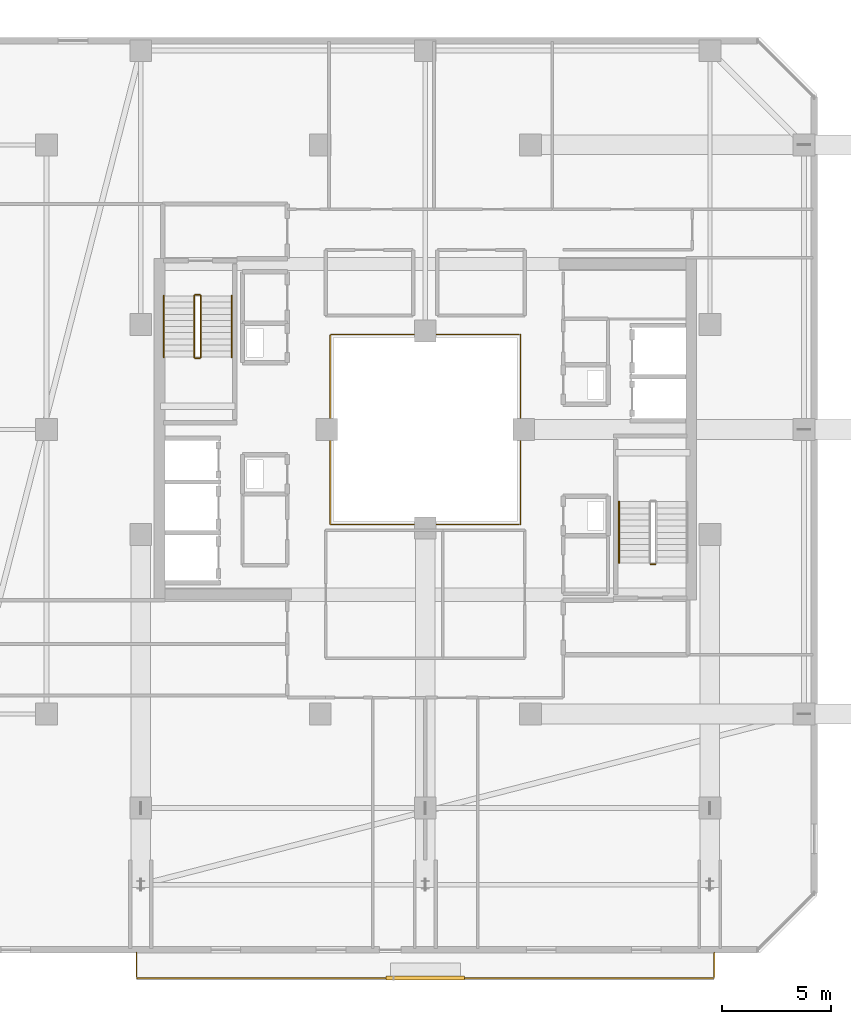
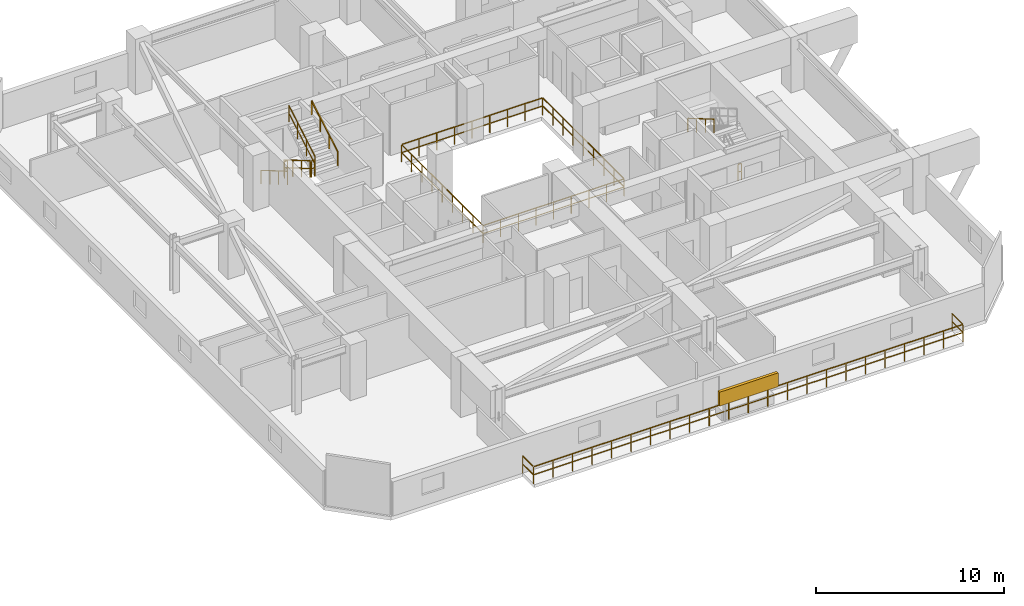
# One storey, part 34 of 35: 10 railings, 1 shading device.
"""IFC4 building model written with IfcOpenShell, lengths in metres."""

from ifc_helpers import new_model, si_unit, direction, frame, origin, origin_2d, place, context, subcontext, project, spatial, rectangle, extrude, material, type_object, element, save


model = new_model("IFC4")

# Units and contexts
model_context = context("Model", 3, precision=1e-05, world=origin(), true_north=direction((0.0, 1.0)))
body_context = subcontext(model_context, "Body", "Model", "MODEL_VIEW")
ifc_project = project(units=[si_unit("LENGTHUNIT", "METRE"), si_unit("AREAUNIT", "SQUARE_METRE"), si_unit("VOLUMEUNIT", "CUBIC_METRE"), si_unit("PLANEANGLEUNIT", "RADIAN"), si_unit("MASSUNIT", "GRAM", prefix="KILO")], contexts=[model_context])

# Site, building, storey
site_placement = place(None, origin())
site = spatial("IfcSite", under=ifc_project, at=site_placement, CompositionType="ELEMENT")
building_placement = place(site_placement, origin())
building = spatial("IfcBuilding", under=site, at=building_placement, Name="Thornwick Lancets Civic Towers", CompositionType="ELEMENT")
storey_placement = place(building_placement, frame((0.0, 0.0, 225.89990234375)))
storey = spatial("IfcBuildingStorey", under=building, at=storey_placement, Name="L60", CompositionType="ELEMENT", Elevation=225.89990234375)

# Railings
ifc_material_1 = material(Name="Laminated glass and bronze steel S355", Category="steel")
railing_type_1 = type_object("IfcRailingType", Name="RAIL_ATRIUM_GUARD", PredefinedType="BALUSTRADE", material=ifc_material_1)
railing_1_placement = place(storey_placement, frame((84.159912109375, 22.659912109375, 0.0)))
element("IfcRailing", 1, at=railing_1_placement, inside=storey, type_object=railing_type_1, Name="L60 Tower B Central Atrium Guard Balustrade", PredefinedType="BALUSTRADE", context=body_context, shape_type="SweptSolid", body=[
    extrude(rectangle(XDim=0.048095703125, YDim=0.048095703125, at=origin_2d()), frame((0.0, 0.0, 1.1259765625), z_axis=(1.0, 0.0, 0.0), x_axis=(0.0, 1.0, 0.0)), (0.0, 0.0, 1.0), 8.64892578125),
    extrude(rectangle(XDim=0.0419921875, YDim=0.0419921875, at=origin_2d()), frame((0.03759765625, 0.0, 0.597900390625), z_axis=(1.0, 0.0, 0.0), x_axis=(0.0, 1.0, 0.0)), (0.0, 0.0, 1.0), 1.010009765625),
    extrude(rectangle(XDim=0.0419921875, YDim=0.0419921875, at=origin_2d()), frame((1.12255859375, 0.0, 0.597900390625), z_axis=(1.0, 0.0, 0.0), x_axis=(0.0, 1.0, 0.0)), (0.0, 0.0, 1.0), 1.010009765625),
    extrude(rectangle(XDim=0.0419921875, YDim=0.0419921875, at=origin_2d()), frame((2.20751953125, 0.0, 0.597900390625), z_axis=(1.0, 0.0, 0.0), x_axis=(0.0, 1.0, 0.0)), (0.0, 0.0, 1.0), 1.010009765625),
    extrude(rectangle(XDim=0.0419921875, YDim=0.0419921875, at=origin_2d()), frame((3.29248046875, 0.0, 0.597900390625), z_axis=(1.0, 0.0, 0.0), x_axis=(0.0, 1.0, 0.0)), (0.0, 0.0, 1.0), 1.010009765625),
    extrude(rectangle(XDim=0.0419921875, YDim=0.0419921875, at=origin_2d()), frame((4.377685546875, 0.0, 0.597900390625), z_axis=(1.0, 0.0, 0.0), x_axis=(0.0, 1.0, 0.0)), (0.0, 0.0, 1.0), 1.010009765625),
    extrude(rectangle(XDim=0.0419921875, YDim=0.0419921875, at=origin_2d()), frame((5.462646484375, 0.0, 0.597900390625), z_axis=(1.0, 0.0, 0.0), x_axis=(0.0, 1.0, 0.0)), (0.0, 0.0, 1.0), 1.010009765625),
    extrude(rectangle(XDim=0.0419921875, YDim=0.0419921875, at=origin_2d()), frame((6.547607421875, 0.0, 0.597900390625), z_axis=(1.0, 0.0, 0.0), x_axis=(0.0, 1.0, 0.0)), (0.0, 0.0, 1.0), 1.010009765625),
    extrude(rectangle(XDim=0.0419921875, YDim=0.0419921875, at=origin_2d()), frame((7.632568359375, 0.0, 0.597900390625), z_axis=(1.0, 0.0, 0.0), x_axis=(0.0, 1.0, 0.0)), (0.0, 0.0, 1.0), 1.010009765625),
    extrude(rectangle(XDim=0.048095703125, YDim=0.048095703125, at=origin_2d()), frame((8.68017578125, 0.03125, 1.1259765625), z_axis=(0.0, 1.0, 0.0), x_axis=(-1.0, 0.0, 0.0)), (0.0, 0.0, 1.0), 8.61767578125),
    extrude(rectangle(XDim=0.0419921875, YDim=0.0419921875, at=origin_2d()), frame((8.68017578125, 0.03759765625, 0.597900390625), z_axis=(0.0, 1.0, 0.0), x_axis=(-1.0, 0.0, 0.0)), (0.0, 0.0, 1.0), 1.010009765625),
    extrude(rectangle(XDim=0.0419921875, YDim=0.0419921875, at=origin_2d()), frame((8.68017578125, 1.12255859375, 0.597900390625), z_axis=(0.0, 1.0, 0.0), x_axis=(-1.0, 0.0, 0.0)), (0.0, 0.0, 1.0), 1.010009765625),
    extrude(rectangle(XDim=0.0419921875, YDim=0.0419921875, at=origin_2d()), frame((8.68017578125, 2.20751953125, 0.597900390625), z_axis=(0.0, 1.0, 0.0), x_axis=(-1.0, 0.0, 0.0)), (0.0, 0.0, 1.0), 1.010009765625),
    extrude(rectangle(XDim=0.0419921875, YDim=0.0419921875, at=origin_2d()), frame((8.68017578125, 3.29248046875, 0.597900390625), z_axis=(0.0, 1.0, 0.0), x_axis=(-1.0, 0.0, 0.0)), (0.0, 0.0, 1.0), 1.010009765625),
    extrude(rectangle(XDim=0.0419921875, YDim=0.0419921875, at=origin_2d()), frame((8.68017578125, 4.377685546875, 0.597900390625), z_axis=(0.0, 1.0, 0.0), x_axis=(-1.0, 0.0, 0.0)), (0.0, 0.0, 1.0), 1.010009765625),
    extrude(rectangle(XDim=0.0419921875, YDim=0.0419921875, at=origin_2d()), frame((8.68017578125, 5.462646484375, 0.597900390625), z_axis=(0.0, 1.0, 0.0), x_axis=(-1.0, 0.0, 0.0)), (0.0, 0.0, 1.0), 1.010009765625),
    extrude(rectangle(XDim=0.0419921875, YDim=0.0419921875, at=origin_2d()), frame((8.68017578125, 6.547607421875, 0.597900390625), z_axis=(0.0, 1.0, 0.0), x_axis=(-1.0, 0.0, 0.0)), (0.0, 0.0, 1.0), 1.010009765625),
    extrude(rectangle(XDim=0.0419921875, YDim=0.0419921875, at=origin_2d()), frame((8.68017578125, 7.632568359375, 0.597900390625), z_axis=(0.0, 1.0, 0.0), x_axis=(-1.0, 0.0, 0.0)), (0.0, 0.0, 1.0), 1.010009765625),
    extrude(rectangle(XDim=0.048095703125, YDim=0.048095703125, at=origin_2d()), frame((8.64892578125, 8.68017578125, 1.1259765625), z_axis=(-1.0, 0.0, 0.0), x_axis=(0.0, -1.0, 0.0)), (0.0, 0.0, 1.0), 8.61767578125),
    extrude(rectangle(XDim=0.0419921875, YDim=0.0419921875, at=origin_2d()), frame((8.642578125, 8.68017578125, 0.597900390625), z_axis=(-1.0, 0.0, 0.0), x_axis=(0.0, -1.0, 0.0)), (0.0, 0.0, 1.0), 1.010009765625),
    extrude(rectangle(XDim=0.0419921875, YDim=0.0419921875, at=origin_2d()), frame((7.5576171875, 8.68017578125, 0.597900390625), z_axis=(-1.0, 0.0, 0.0), x_axis=(0.0, -1.0, 0.0)), (0.0, 0.0, 1.0), 1.010009765625),
    extrude(rectangle(XDim=0.0419921875, YDim=0.0419921875, at=origin_2d()), frame((6.47265625, 8.68017578125, 0.597900390625), z_axis=(-1.0, 0.0, 0.0), x_axis=(0.0, -1.0, 0.0)), (0.0, 0.0, 1.0), 1.010009765625),
    extrude(rectangle(XDim=0.0419921875, YDim=0.0419921875, at=origin_2d()), frame((5.3876953125, 8.68017578125, 0.597900390625), z_axis=(-1.0, 0.0, 0.0), x_axis=(0.0, -1.0, 0.0)), (0.0, 0.0, 1.0), 1.010009765625),
    extrude(rectangle(XDim=0.0419921875, YDim=0.0419921875, at=origin_2d()), frame((4.302490234375, 8.68017578125, 0.597900390625), z_axis=(-1.0, 0.0, 0.0), x_axis=(0.0, -1.0, 0.0)), (0.0, 0.0, 1.0), 1.010009765625),
    extrude(rectangle(XDim=0.0419921875, YDim=0.0419921875, at=origin_2d()), frame((3.217529296875, 8.68017578125, 0.597900390625), z_axis=(-1.0, 0.0, 0.0), x_axis=(0.0, -1.0, 0.0)), (0.0, 0.0, 1.0), 1.010009765625),
    extrude(rectangle(XDim=0.0419921875, YDim=0.0419921875, at=origin_2d()), frame((2.132568359375, 8.68017578125, 0.597900390625), z_axis=(-1.0, 0.0, 0.0), x_axis=(0.0, -1.0, 0.0)), (0.0, 0.0, 1.0), 1.010009765625),
    extrude(rectangle(XDim=0.0419921875, YDim=0.0419921875, at=origin_2d()), frame((1.047607421875, 8.68017578125, 0.597900390625), z_axis=(-1.0, 0.0, 0.0), x_axis=(0.0, -1.0, 0.0)), (0.0, 0.0, 1.0), 1.010009765625),
    extrude(rectangle(XDim=0.048095703125, YDim=0.048095703125, at=origin_2d()), frame((0.0, 8.64892578125, 1.1259765625), z_axis=(0.0, -1.0, 0.0), x_axis=(1.0, 0.0, 0.0)), (0.0, 0.0, 1.0), 8.64892578125),
    extrude(rectangle(XDim=0.0419921875, YDim=0.0419921875, at=origin_2d()), frame((0.0, 8.642578125, 0.597900390625), z_axis=(0.0, -1.0, 0.0), x_axis=(1.0, 0.0, 0.0)), (0.0, 0.0, 1.0), 1.010009765625),
    extrude(rectangle(XDim=0.0419921875, YDim=0.0419921875, at=origin_2d()), frame((0.0, 7.5576171875, 0.597900390625), z_axis=(0.0, -1.0, 0.0), x_axis=(1.0, 0.0, 0.0)), (0.0, 0.0, 1.0), 1.010009765625),
    extrude(rectangle(XDim=0.0419921875, YDim=0.0419921875, at=origin_2d()), frame((0.0, 6.47265625, 0.597900390625), z_axis=(0.0, -1.0, 0.0), x_axis=(1.0, 0.0, 0.0)), (0.0, 0.0, 1.0), 1.010009765625),
    extrude(rectangle(XDim=0.0419921875, YDim=0.0419921875, at=origin_2d()), frame((0.0, 5.3876953125, 0.597900390625), z_axis=(0.0, -1.0, 0.0), x_axis=(1.0, 0.0, 0.0)), (0.0, 0.0, 1.0), 1.010009765625),
    extrude(rectangle(XDim=0.0419921875, YDim=0.0419921875, at=origin_2d()), frame((0.0, 4.302490234375, 0.597900390625), z_axis=(0.0, -1.0, 0.0), x_axis=(1.0, 0.0, 0.0)), (0.0, 0.0, 1.0), 1.010009765625),
    extrude(rectangle(XDim=0.0419921875, YDim=0.0419921875, at=origin_2d()), frame((0.0, 3.217529296875, 0.597900390625), z_axis=(0.0, -1.0, 0.0), x_axis=(1.0, 0.0, 0.0)), (0.0, 0.0, 1.0), 1.010009765625),
    extrude(rectangle(XDim=0.0419921875, YDim=0.0419921875, at=origin_2d()), frame((0.0, 2.132568359375, 0.597900390625), z_axis=(0.0, -1.0, 0.0), x_axis=(1.0, 0.0, 0.0)), (0.0, 0.0, 1.0), 1.010009765625),
    extrude(rectangle(XDim=0.0419921875, YDim=0.0419921875, at=origin_2d()), frame((0.0, 1.047607421875, 0.597900390625), z_axis=(0.0, -1.0, 0.0), x_axis=(1.0, 0.0, 0.0)), (0.0, 0.0, 1.0), 1.010009765625),
    extrude(rectangle(XDim=0.0419921875, YDim=0.0419921875, at=origin_2d()), origin(), (0.0, 0.0, 1.0), 1.095703125),
    extrude(rectangle(XDim=0.0419921875, YDim=0.0419921875, at=origin_2d()), frame((1.0849609375, 0.0, 0.0)), (0.0, 0.0, 1.0), 1.095703125),
    extrude(rectangle(XDim=0.0419921875, YDim=0.0419921875, at=origin_2d()), frame((2.169921875, 0.0, 0.0)), (0.0, 0.0, 1.0), 1.095703125),
    extrude(rectangle(XDim=0.0419921875, YDim=0.0419921875, at=origin_2d()), frame((3.255126953125, 0.0, 0.0)), (0.0, 0.0, 1.0), 1.095703125),
    extrude(rectangle(XDim=0.0419921875, YDim=0.0419921875, at=origin_2d()), frame((4.340087890625, 0.0, 0.0)), (0.0, 0.0, 1.0), 1.095703125),
    extrude(rectangle(XDim=0.0419921875, YDim=0.0419921875, at=origin_2d()), frame((5.425048828125, 0.0, 0.0)), (0.0, 0.0, 1.0), 1.095703125),
    extrude(rectangle(XDim=0.0419921875, YDim=0.0419921875, at=origin_2d()), frame((6.51025390625, 0.0, 0.0)), (0.0, 0.0, 1.0), 1.095703125),
    extrude(rectangle(XDim=0.0419921875, YDim=0.0419921875, at=origin_2d()), frame((7.59521484375, 0.0, 0.0)), (0.0, 0.0, 1.0), 1.095703125),
    extrude(rectangle(XDim=0.0419921875, YDim=0.0419921875, at=origin_2d()), frame((8.68017578125, 0.0, 0.0)), (0.0, 0.0, 1.0), 1.095703125),
    extrude(rectangle(XDim=0.0419921875, YDim=0.0419921875, at=origin_2d()), frame((8.68017578125, 1.0849609375, 0.0)), (0.0, 0.0, 1.0), 1.095703125),
    extrude(rectangle(XDim=0.0419921875, YDim=0.0419921875, at=origin_2d()), frame((8.68017578125, 2.169921875, 0.0)), (0.0, 0.0, 1.0), 1.095703125),
    extrude(rectangle(XDim=0.0419921875, YDim=0.0419921875, at=origin_2d()), frame((8.68017578125, 3.255126953125, 0.0)), (0.0, 0.0, 1.0), 1.095703125),
    extrude(rectangle(XDim=0.0419921875, YDim=0.0419921875, at=origin_2d()), frame((8.68017578125, 4.340087890625, 0.0)), (0.0, 0.0, 1.0), 1.095703125),
    extrude(rectangle(XDim=0.0419921875, YDim=0.0419921875, at=origin_2d()), frame((8.68017578125, 5.425048828125, 0.0)), (0.0, 0.0, 1.0), 1.095703125),
    extrude(rectangle(XDim=0.0419921875, YDim=0.0419921875, at=origin_2d()), frame((8.68017578125, 6.51025390625, 0.0)), (0.0, 0.0, 1.0), 1.095703125),
    extrude(rectangle(XDim=0.0419921875, YDim=0.0419921875, at=origin_2d()), frame((8.68017578125, 7.59521484375, 0.0)), (0.0, 0.0, 1.0), 1.095703125),
    extrude(rectangle(XDim=0.0419921875, YDim=0.0419921875, at=origin_2d()), frame((8.68017578125, 8.68017578125, 0.0)), (0.0, 0.0, 1.0), 1.095703125),
    extrude(rectangle(XDim=0.0419921875, YDim=0.0419921875, at=origin_2d()), frame((7.59521484375, 8.68017578125, 0.0)), (0.0, 0.0, 1.0), 1.095703125),
    extrude(rectangle(XDim=0.0419921875, YDim=0.0419921875, at=origin_2d()), frame((6.51025390625, 8.68017578125, 0.0)), (0.0, 0.0, 1.0), 1.095703125),
    extrude(rectangle(XDim=0.0419921875, YDim=0.0419921875, at=origin_2d()), frame((5.425048828125, 8.68017578125, 0.0)), (0.0, 0.0, 1.0), 1.095703125),
    extrude(rectangle(XDim=0.0419921875, YDim=0.0419921875, at=origin_2d()), frame((4.340087890625, 8.68017578125, 0.0)), (0.0, 0.0, 1.0), 1.095703125),
    extrude(rectangle(XDim=0.0419921875, YDim=0.0419921875, at=origin_2d()), frame((3.255126953125, 8.68017578125, 0.0)), (0.0, 0.0, 1.0), 1.095703125),
    extrude(rectangle(XDim=0.0419921875, YDim=0.0419921875, at=origin_2d()), frame((2.169921875, 8.68017578125, 0.0)), (0.0, 0.0, 1.0), 1.095703125),
    extrude(rectangle(XDim=0.0419921875, YDim=0.0419921875, at=origin_2d()), frame((1.0849609375, 8.68017578125, 0.0)), (0.0, 0.0, 1.0), 1.095703125),
    extrude(rectangle(XDim=0.0419921875, YDim=0.0419921875, at=origin_2d()), frame((0.0, 8.68017578125, 0.0)), (0.0, 0.0, 1.0), 1.095703125),
    extrude(rectangle(XDim=0.0419921875, YDim=0.0419921875, at=origin_2d()), frame((0.0, 7.59521484375, 0.0)), (0.0, 0.0, 1.0), 1.095703125),
    extrude(rectangle(XDim=0.0419921875, YDim=0.0419921875, at=origin_2d()), frame((0.0, 6.51025390625, 0.0)), (0.0, 0.0, 1.0), 1.095703125),
    extrude(rectangle(XDim=0.0419921875, YDim=0.0419921875, at=origin_2d()), frame((0.0, 5.425048828125, 0.0)), (0.0, 0.0, 1.0), 1.095703125),
    extrude(rectangle(XDim=0.0419921875, YDim=0.0419921875, at=origin_2d()), frame((0.0, 4.340087890625, 0.0)), (0.0, 0.0, 1.0), 1.095703125),
    extrude(rectangle(XDim=0.0419921875, YDim=0.0419921875, at=origin_2d()), frame((0.0, 3.255126953125, 0.0)), (0.0, 0.0, 1.0), 1.095703125),
    extrude(rectangle(XDim=0.0419921875, YDim=0.0419921875, at=origin_2d()), frame((0.0, 2.169921875, 0.0)), (0.0, 0.0, 1.0), 1.095703125),
    extrude(rectangle(XDim=0.0419921875, YDim=0.0419921875, at=origin_2d()), frame((0.0, 1.0849609375, 0.0)), (0.0, 0.0, 1.0), 1.095703125),
])
ifc_material_2 = material(Name="Brushed stainless steel S355", Category="steel")
railing_type_2 = type_object("IfcRailingType", Name="RAIL_HANDRAIL", PredefinedType="HANDRAIL", material=ifc_material_2)
railing_2_placement = place(storey_placement, frame((97.35009765625, 23.699951171875, 1.963623046875)))
element("IfcRailing", 2, at=railing_2_placement, inside=storey, type_object=railing_type_2, Name="L60 ST-B1 stair handrail 2", PredefinedType="HANDRAIL", context=body_context, shape_type="SweptSolid", body=[
    extrude(rectangle(XDim=0.048095703125, YDim=0.048095703125, at=origin_2d()), frame((0.0, 0.0, 0.8857421875), z_axis=(0.0, -0.863360870873, 0.504586966384), x_axis=(1.0, 0.0, 0.0)), (0.0, 0.0, 1.0), 3.2431640625),
    extrude(rectangle(XDim=0.0419921875, YDim=0.0419921875, at=origin_2d()), origin(), (0.0, 0.0, 1.0), 0.855712890625),
    extrude(rectangle(XDim=0.0419921875, YDim=0.0419921875, at=origin_2d()), frame((0.0, -0.933349609375, 0.54541015625)), (0.0, 0.0, 1.0), 0.855712890625),
    extrude(rectangle(XDim=0.0419921875, YDim=0.0419921875, at=origin_2d()), frame((0.0, -1.86669921875, 1.091064453125)), (0.0, 0.0, 1.0), 0.855712890625),
    extrude(rectangle(XDim=0.0419921875, YDim=0.0419921875, at=origin_2d()), frame((0.0, -2.800048828125, 1.636474609375)), (0.0, 0.0, 1.0), 0.855712890625),
])
railing_3_placement = place(storey_placement, frame((76.550048828125, 33.10009765625, 0.163818359375)))
element("IfcRailing", 3, at=railing_3_placement, inside=storey, type_object=railing_type_2, Name="L60 ST-B2 stair handrail 1", PredefinedType="HANDRAIL", context=body_context, shape_type="SweptSolid", body=[
    extrude(rectangle(XDim=0.048095703125, YDim=0.048095703125, at=origin_2d()), frame((0.0, 0.0, 0.8857421875), z_axis=(0.0, -0.863393664356, 0.504530851732), x_axis=(1.0, 0.0, 0.0)), (0.0, 0.0, 1.0), 3.2431640625),
    extrude(rectangle(XDim=0.0419921875, YDim=0.0419921875, at=origin_2d()), origin(), (0.0, 0.0, 1.0), 0.855712890625),
    extrude(rectangle(XDim=0.0419921875, YDim=0.0419921875, at=origin_2d()), frame((0.0, -0.933349609375, 0.54541015625)), (0.0, 0.0, 1.0), 0.855712890625),
    extrude(rectangle(XDim=0.0419921875, YDim=0.0419921875, at=origin_2d()), frame((0.0, -1.86669921875, 1.0908203125)), (0.0, 0.0, 1.0), 0.855712890625),
    extrude(rectangle(XDim=0.0419921875, YDim=0.0419921875, at=origin_2d()), frame((0.0, -2.800048828125, 1.63623046875)), (0.0, 0.0, 1.0), 0.855712890625),
])
railing_4_placement = place(storey_placement, frame((79.64990234375, 30.300048828125, 1.963623046875)))
element("IfcRailing", 4, at=railing_4_placement, inside=storey, type_object=railing_type_2, Name="L60 ST-B2 stair handrail 2", PredefinedType="HANDRAIL", context=body_context, shape_type="SweptSolid", body=[
    extrude(rectangle(XDim=0.048095703125, YDim=0.048095703125, at=origin_2d()), frame((0.0, 0.0, 0.8857421875), z_axis=(0.0, 0.863360870873, 0.504586966384), x_axis=(-1.0, 0.0, 0.0)), (0.0, 0.0, 1.0), 3.2431640625),
    extrude(rectangle(XDim=0.0419921875, YDim=0.0419921875, at=origin_2d()), origin(), (0.0, 0.0, 1.0), 0.855712890625),
    extrude(rectangle(XDim=0.0419921875, YDim=0.0419921875, at=origin_2d()), frame((0.0, 0.933349609375, 0.54541015625)), (0.0, 0.0, 1.0), 0.855712890625),
    extrude(rectangle(XDim=0.0419921875, YDim=0.0419921875, at=origin_2d()), frame((0.0, 1.86669921875, 1.091064453125)), (0.0, 0.0, 1.0), 0.855712890625),
    extrude(rectangle(XDim=0.0419921875, YDim=0.0419921875, at=origin_2d()), frame((0.0, 2.800048828125, 1.636474609375)), (0.0, 0.0, 1.0), 0.855712890625),
])
ifc_material_3 = material(Name="Steel S355JR", Category="steel")
railing_type_3 = type_object("IfcRailingType", Name="RAIL_STAIR_GUARD", PredefinedType="GUARDRAIL", material=ifc_material_3)
railing_5_placement = place(storey_placement, frame((99.0, 20.85009765625, 0.0)))
element("IfcRailing", 5, at=railing_5_placement, inside=storey, type_object=railing_type_3, Name="L60 ST-B1 stair guard 4", PredefinedType="GUARDRAIL", context=body_context, shape_type="SweptSolid", body=[
    extrude(rectangle(XDim=0.048095703125, YDim=0.048095703125, at=origin_2d()), frame((0.0, 0.0, 1.076171875), z_axis=(-1.0, 0.0, 0.0), x_axis=(0.0, -1.0, 0.0)), (0.0, 0.0, 1.0), 0.199951171875),
    extrude(rectangle(XDim=0.0419921875, YDim=0.0419921875, at=origin_2d()), frame((-0.03759765625, 0.0, 0.572021484375), z_axis=(-1.0, 0.0, 0.0), x_axis=(0.0, -1.0, 0.0)), (0.0, 0.0, 1.0), 0.125),
    extrude(rectangle(XDim=0.0419921875, YDim=0.0419921875, at=origin_2d()), origin(), (0.0, 0.0, 1.0), 1.0458984375),
    extrude(rectangle(XDim=0.0419921875, YDim=0.0419921875, at=origin_2d()), frame((-0.199951171875, 0.0, 0.0)), (0.0, 0.0, 1.0), 1.0458984375),
])
railing_6_placement = place(storey_placement, frame((77.949951171875, 33.10009765625, 0.163818359375)))
element("IfcRailing", 6, at=railing_6_placement, inside=storey, type_object=railing_type_3, Name="L60 ST-B2 stair guard 1", PredefinedType="GUARDRAIL", context=body_context, shape_type="SweptSolid", body=[
    extrude(rectangle(XDim=0.048095703125, YDim=0.048095703125, at=origin_2d()), frame((0.0, 0.0, 1.076171875), z_axis=(0.0, -0.863393664356, 0.504530851732), x_axis=(1.0, 0.0, 0.0)), (0.0, 0.0, 1.0), 3.2431640625),
    extrude(rectangle(XDim=0.0419921875, YDim=0.0419921875, at=origin_2d()), frame((0.0, -0.032470703125, 0.591064453125), z_axis=(0.0, -0.863393664356, 0.504530851732), x_axis=(1.0, 0.0, 0.0)), (0.0, 0.0, 1.0), 1.006103515625),
    extrude(rectangle(XDim=0.0419921875, YDim=0.0419921875, at=origin_2d()), frame((0.0, -0.9658203125, 1.136474609375), z_axis=(0.0, -0.863393664356, 0.504530851732), x_axis=(1.0, 0.0, 0.0)), (0.0, 0.0, 1.0), 1.006103515625),
    extrude(rectangle(XDim=0.0419921875, YDim=0.0419921875, at=origin_2d()), frame((0.0, -1.899169921875, 1.681884765625), z_axis=(0.0, -0.863393664356, 0.504530851732), x_axis=(1.0, 0.0, 0.0)), (0.0, 0.0, 1.0), 1.006103515625),
    extrude(rectangle(XDim=0.0419921875, YDim=0.0419921875, at=origin_2d()), origin(), (0.0, 0.0, 1.0), 1.0458984375),
    extrude(rectangle(XDim=0.0419921875, YDim=0.0419921875, at=origin_2d()), frame((0.0, -0.933349609375, 0.54541015625)), (0.0, 0.0, 1.0), 1.0458984375),
    extrude(rectangle(XDim=0.0419921875, YDim=0.0419921875, at=origin_2d()), frame((0.0, -1.86669921875, 1.0908203125)), (0.0, 0.0, 1.0), 1.0458984375),
    extrude(rectangle(XDim=0.0419921875, YDim=0.0419921875, at=origin_2d()), frame((0.0, -2.800048828125, 1.63623046875)), (0.0, 0.0, 1.0), 1.0458984375),
])
railing_7_placement = place(storey_placement, frame((78.0, 30.25, 1.800048828125)))
element("IfcRailing", 7, at=railing_7_placement, inside=storey, type_object=railing_type_3, Name="L60 ST-B2 stair guard 2", PredefinedType="GUARDRAIL", context=body_context, shape_type="SweptSolid", body=[
    extrude(rectangle(XDim=0.048095703125, YDim=0.048095703125, at=origin_2d()), frame((0.0, 0.0, 1.076171875), z_axis=(1.0, 0.0, 0.0), x_axis=(0.0, 1.0, 0.0)), (0.0, 0.0, 1.0), 0.199951171875),
    extrude(rectangle(XDim=0.0419921875, YDim=0.0419921875, at=origin_2d()), frame((0.03759765625, 0.0, 0.572021484375), z_axis=(1.0, 0.0, 0.0), x_axis=(0.0, 1.0, 0.0)), (0.0, 0.0, 1.0), 0.125),
    extrude(rectangle(XDim=0.0419921875, YDim=0.0419921875, at=origin_2d()), origin(), (0.0, 0.0, 1.0), 1.0458984375),
    extrude(rectangle(XDim=0.0419921875, YDim=0.0419921875, at=origin_2d()), frame((0.199951171875, 0.0, 0.0)), (0.0, 0.0, 1.0), 1.0458984375),
])
railing_8_placement = place(storey_placement, frame((78.25, 30.300048828125, 1.963623046875)))
element("IfcRailing", 8, at=railing_8_placement, inside=storey, type_object=railing_type_3, Name="L60 ST-B2 stair guard 3", PredefinedType="GUARDRAIL", context=body_context, shape_type="SweptSolid", body=[
    extrude(rectangle(XDim=0.048095703125, YDim=0.048095703125, at=origin_2d()), frame((0.0, 0.0, 1.076171875), z_axis=(0.0, 0.863360870873, 0.504586966384), x_axis=(-1.0, 0.0, 0.0)), (0.0, 0.0, 1.0), 3.2431640625),
    extrude(rectangle(XDim=0.0419921875, YDim=0.0419921875, at=origin_2d()), frame((0.0, 0.032470703125, 0.591064453125), z_axis=(0.0, 0.863360870873, 0.504586966384), x_axis=(-1.0, 0.0, 0.0)), (0.0, 0.0, 1.0), 1.006103515625),
    extrude(rectangle(XDim=0.0419921875, YDim=0.0419921875, at=origin_2d()), frame((0.0, 0.9658203125, 1.136474609375), z_axis=(0.0, 0.863360870873, 0.504586966384), x_axis=(-1.0, 0.0, 0.0)), (0.0, 0.0, 1.0), 1.006103515625),
    extrude(rectangle(XDim=0.0419921875, YDim=0.0419921875, at=origin_2d()), frame((0.0, 1.899169921875, 1.681884765625), z_axis=(0.0, 0.863360870873, 0.504586966384), x_axis=(-1.0, 0.0, 0.0)), (0.0, 0.0, 1.0), 1.006103515625),
    extrude(rectangle(XDim=0.0419921875, YDim=0.0419921875, at=origin_2d()), origin(), (0.0, 0.0, 1.0), 1.0458984375),
    extrude(rectangle(XDim=0.0419921875, YDim=0.0419921875, at=origin_2d()), frame((0.0, 0.933349609375, 0.54541015625)), (0.0, 0.0, 1.0), 1.0458984375),
    extrude(rectangle(XDim=0.0419921875, YDim=0.0419921875, at=origin_2d()), frame((0.0, 1.86669921875, 1.091064453125)), (0.0, 0.0, 1.0), 1.0458984375),
    extrude(rectangle(XDim=0.0419921875, YDim=0.0419921875, at=origin_2d()), frame((0.0, 2.800048828125, 1.636474609375)), (0.0, 0.0, 1.0), 1.0458984375),
])
railing_9_placement = place(storey_placement, frame((78.0, 33.14990234375, 0.0)))
element("IfcRailing", 9, at=railing_9_placement, inside=storey, type_object=railing_type_3, Name="L60 ST-B2 stair guard 4", PredefinedType="GUARDRAIL", context=body_context, shape_type="SweptSolid", body=[
    extrude(rectangle(XDim=0.048095703125, YDim=0.048095703125, at=origin_2d()), frame((0.0, 0.0, 1.076171875), z_axis=(1.0, 0.0, 0.0), x_axis=(0.0, 1.0, 0.0)), (0.0, 0.0, 1.0), 0.199951171875),
    extrude(rectangle(XDim=0.0419921875, YDim=0.0419921875, at=origin_2d()), frame((0.03759765625, 0.0, 0.572021484375), z_axis=(1.0, 0.0, 0.0), x_axis=(0.0, 1.0, 0.0)), (0.0, 0.0, 1.0), 0.125),
    extrude(rectangle(XDim=0.0419921875, YDim=0.0419921875, at=origin_2d()), origin(), (0.0, 0.0, 1.0), 1.0458984375),
    extrude(rectangle(XDim=0.0419921875, YDim=0.0419921875, at=origin_2d()), frame((0.199951171875, 0.0, 0.0)), (0.0, 0.0, 1.0), 1.0458984375),
])
ifc_material_4 = material(Name="Terracotta-capped laminated glass balustrade S355", Category="masonry")
railing_type_4 = type_object("IfcRailingType", Name="RAIL_TERR_GUARD", PredefinedType="GUARDRAIL", material=ifc_material_4)
railing_10_placement = place(storey_placement, frame((75.300048828125, 3.10009765625, 0.0)))
element("IfcRailing", 10, at=railing_10_placement, inside=storey, type_object=railing_type_4, Name="L60 Tower B Balcony Guard S", PredefinedType="GUARDRAIL", context=body_context, shape_type="SweptSolid", body=[
    extrude(rectangle(XDim=0.048095703125, YDim=0.048095703125, at=origin_2d()), frame((0.0, 0.0, 1.1259765625), z_axis=(0.0, -1.0, 0.0), x_axis=(1.0, 0.0, 0.0)), (0.0, 0.0, 1.0), 1.138916015625),
    extrude(rectangle(XDim=0.0419921875, YDim=0.0419921875, at=origin_2d()), frame((0.0, -0.03759765625, 0.597900390625), z_axis=(0.0, -1.0, 0.0), x_axis=(1.0, 0.0, 0.0)), (0.0, 0.0, 1.0), 1.09521484375),
    extrude(rectangle(XDim=0.048095703125, YDim=0.048095703125, at=origin_2d()), frame((0.03125, -1.170166015625, 1.1259765625), z_axis=(1.0, 0.0, 0.0), x_axis=(0.0, 1.0, 0.0)), (0.0, 0.0, 1.0), 26.33740234375),
    extrude(rectangle(XDim=0.0419921875, YDim=0.0419921875, at=origin_2d()), frame((0.03759765625, -1.170166015625, 0.597900390625), z_axis=(1.0, 0.0, 0.0), x_axis=(0.0, 1.0, 0.0)), (0.0, 0.0, 1.0), 1.125),
    extrude(rectangle(XDim=0.0419921875, YDim=0.0419921875, at=origin_2d()), frame((1.237548828125, -1.170166015625, 0.597900390625), z_axis=(1.0, 0.0, 0.0), x_axis=(0.0, 1.0, 0.0)), (0.0, 0.0, 1.0), 1.125),
    extrude(rectangle(XDim=0.0419921875, YDim=0.0419921875, at=origin_2d()), frame((2.4375, -1.170166015625, 0.597900390625), z_axis=(1.0, 0.0, 0.0), x_axis=(0.0, 1.0, 0.0)), (0.0, 0.0, 1.0), 1.125),
    extrude(rectangle(XDim=0.0419921875, YDim=0.0419921875, at=origin_2d()), frame((3.637451171875, -1.170166015625, 0.597900390625), z_axis=(1.0, 0.0, 0.0), x_axis=(0.0, 1.0, 0.0)), (0.0, 0.0, 1.0), 1.125),
    extrude(rectangle(XDim=0.0419921875, YDim=0.0419921875, at=origin_2d()), frame((4.83740234375, -1.170166015625, 0.597900390625), z_axis=(1.0, 0.0, 0.0), x_axis=(0.0, 1.0, 0.0)), (0.0, 0.0, 1.0), 1.125),
    extrude(rectangle(XDim=0.0419921875, YDim=0.0419921875, at=origin_2d()), frame((6.037353515625, -1.170166015625, 0.597900390625), z_axis=(1.0, 0.0, 0.0), x_axis=(0.0, 1.0, 0.0)), (0.0, 0.0, 1.0), 1.125),
    extrude(rectangle(XDim=0.0419921875, YDim=0.0419921875, at=origin_2d()), frame((7.237548828125, -1.170166015625, 0.597900390625), z_axis=(1.0, 0.0, 0.0), x_axis=(0.0, 1.0, 0.0)), (0.0, 0.0, 1.0), 1.125),
    extrude(rectangle(XDim=0.0419921875, YDim=0.0419921875, at=origin_2d()), frame((8.4375, -1.170166015625, 0.597900390625), z_axis=(1.0, 0.0, 0.0), x_axis=(0.0, 1.0, 0.0)), (0.0, 0.0, 1.0), 1.125),
    extrude(rectangle(XDim=0.0419921875, YDim=0.0419921875, at=origin_2d()), frame((9.637451171875, -1.170166015625, 0.597900390625), z_axis=(1.0, 0.0, 0.0), x_axis=(0.0, 1.0, 0.0)), (0.0, 0.0, 1.0), 1.125),
    extrude(rectangle(XDim=0.0419921875, YDim=0.0419921875, at=origin_2d()), frame((10.83740234375, -1.170166015625, 0.597900390625), z_axis=(1.0, 0.0, 0.0), x_axis=(0.0, 1.0, 0.0)), (0.0, 0.0, 1.0), 1.125),
    extrude(rectangle(XDim=0.0419921875, YDim=0.0419921875, at=origin_2d()), frame((12.037353515625, -1.170166015625, 0.597900390625), z_axis=(1.0, 0.0, 0.0), x_axis=(0.0, 1.0, 0.0)), (0.0, 0.0, 1.0), 1.125),
    extrude(rectangle(XDim=0.0419921875, YDim=0.0419921875, at=origin_2d()), frame((13.237548828125, -1.170166015625, 0.597900390625), z_axis=(1.0, 0.0, 0.0), x_axis=(0.0, 1.0, 0.0)), (0.0, 0.0, 1.0), 1.125),
    extrude(rectangle(XDim=0.0419921875, YDim=0.0419921875, at=origin_2d()), frame((14.4375, -1.170166015625, 0.597900390625), z_axis=(1.0, 0.0, 0.0), x_axis=(0.0, 1.0, 0.0)), (0.0, 0.0, 1.0), 1.125),
    extrude(rectangle(XDim=0.0419921875, YDim=0.0419921875, at=origin_2d()), frame((15.637451171875, -1.170166015625, 0.597900390625), z_axis=(1.0, 0.0, 0.0), x_axis=(0.0, 1.0, 0.0)), (0.0, 0.0, 1.0), 1.125),
    extrude(rectangle(XDim=0.0419921875, YDim=0.0419921875, at=origin_2d()), frame((16.83740234375, -1.170166015625, 0.597900390625), z_axis=(1.0, 0.0, 0.0), x_axis=(0.0, 1.0, 0.0)), (0.0, 0.0, 1.0), 1.125),
    extrude(rectangle(XDim=0.0419921875, YDim=0.0419921875, at=origin_2d()), frame((18.037353515625, -1.170166015625, 0.597900390625), z_axis=(1.0, 0.0, 0.0), x_axis=(0.0, 1.0, 0.0)), (0.0, 0.0, 1.0), 1.125),
    extrude(rectangle(XDim=0.0419921875, YDim=0.0419921875, at=origin_2d()), frame((19.2373046875, -1.170166015625, 0.597900390625), z_axis=(1.0, 0.0, 0.0), x_axis=(0.0, 1.0, 0.0)), (0.0, 0.0, 1.0), 1.125),
    extrude(rectangle(XDim=0.0419921875, YDim=0.0419921875, at=origin_2d()), frame((20.4375, -1.170166015625, 0.597900390625), z_axis=(1.0, 0.0, 0.0), x_axis=(0.0, 1.0, 0.0)), (0.0, 0.0, 1.0), 1.125),
    extrude(rectangle(XDim=0.0419921875, YDim=0.0419921875, at=origin_2d()), frame((21.637451171875, -1.170166015625, 0.597900390625), z_axis=(1.0, 0.0, 0.0), x_axis=(0.0, 1.0, 0.0)), (0.0, 0.0, 1.0), 1.125),
    extrude(rectangle(XDim=0.0419921875, YDim=0.0419921875, at=origin_2d()), frame((22.83740234375, -1.170166015625, 0.597900390625), z_axis=(1.0, 0.0, 0.0), x_axis=(0.0, 1.0, 0.0)), (0.0, 0.0, 1.0), 1.125),
    extrude(rectangle(XDim=0.0419921875, YDim=0.0419921875, at=origin_2d()), frame((24.037353515625, -1.170166015625, 0.597900390625), z_axis=(1.0, 0.0, 0.0), x_axis=(0.0, 1.0, 0.0)), (0.0, 0.0, 1.0), 1.125),
    extrude(rectangle(XDim=0.0419921875, YDim=0.0419921875, at=origin_2d()), frame((25.2373046875, -1.170166015625, 0.597900390625), z_axis=(1.0, 0.0, 0.0), x_axis=(0.0, 1.0, 0.0)), (0.0, 0.0, 1.0), 1.125),
    extrude(rectangle(XDim=0.048095703125, YDim=0.048095703125, at=origin_2d()), frame((26.39990234375, -1.138916015625, 1.1259765625), z_axis=(0.0, 1.0, 0.0), x_axis=(-1.0, 0.0, 0.0)), (0.0, 0.0, 1.0), 1.138916015625),
    extrude(rectangle(XDim=0.0419921875, YDim=0.0419921875, at=origin_2d()), frame((26.39990234375, -1.132568359375, 0.597900390625), z_axis=(0.0, 1.0, 0.0), x_axis=(-1.0, 0.0, 0.0)), (0.0, 0.0, 1.0), 1.09521484375),
    extrude(rectangle(XDim=0.0419921875, YDim=0.0419921875, at=origin_2d()), origin(), (0.0, 0.0, 1.0), 1.095703125),
    extrude(rectangle(XDim=0.0419921875, YDim=0.0419921875, at=origin_2d()), frame((0.0, -1.170166015625, 0.0)), (0.0, 0.0, 1.0), 1.095703125),
    extrude(rectangle(XDim=0.0419921875, YDim=0.0419921875, at=origin_2d()), frame((1.199951171875, -1.170166015625, 0.0)), (0.0, 0.0, 1.0), 1.095703125),
    extrude(rectangle(XDim=0.0419921875, YDim=0.0419921875, at=origin_2d()), frame((2.39990234375, -1.170166015625, 0.0)), (0.0, 0.0, 1.0), 1.095703125),
    extrude(rectangle(XDim=0.0419921875, YDim=0.0419921875, at=origin_2d()), frame((3.60009765625, -1.170166015625, 0.0)), (0.0, 0.0, 1.0), 1.095703125),
    extrude(rectangle(XDim=0.0419921875, YDim=0.0419921875, at=origin_2d()), frame((4.800048828125, -1.170166015625, 0.0)), (0.0, 0.0, 1.0), 1.095703125),
    extrude(rectangle(XDim=0.0419921875, YDim=0.0419921875, at=origin_2d()), frame((6.0, -1.170166015625, 0.0)), (0.0, 0.0, 1.0), 1.095703125),
    extrude(rectangle(XDim=0.0419921875, YDim=0.0419921875, at=origin_2d()), frame((7.199951171875, -1.170166015625, 0.0)), (0.0, 0.0, 1.0), 1.095703125),
    extrude(rectangle(XDim=0.0419921875, YDim=0.0419921875, at=origin_2d()), frame((8.39990234375, -1.170166015625, 0.0)), (0.0, 0.0, 1.0), 1.095703125),
    extrude(rectangle(XDim=0.0419921875, YDim=0.0419921875, at=origin_2d()), frame((9.599853515625, -1.170166015625, 0.0)), (0.0, 0.0, 1.0), 1.095703125),
    extrude(rectangle(XDim=0.0419921875, YDim=0.0419921875, at=origin_2d()), frame((10.800048828125, -1.170166015625, 0.0)), (0.0, 0.0, 1.0), 1.095703125),
    extrude(rectangle(XDim=0.0419921875, YDim=0.0419921875, at=origin_2d()), frame((12.0, -1.170166015625, 0.0)), (0.0, 0.0, 1.0), 1.095703125),
    extrude(rectangle(XDim=0.0419921875, YDim=0.0419921875, at=origin_2d()), frame((13.199951171875, -1.170166015625, 0.0)), (0.0, 0.0, 1.0), 1.095703125),
    extrude(rectangle(XDim=0.0419921875, YDim=0.0419921875, at=origin_2d()), frame((14.39990234375, -1.170166015625, 0.0)), (0.0, 0.0, 1.0), 1.095703125),
    extrude(rectangle(XDim=0.0419921875, YDim=0.0419921875, at=origin_2d()), frame((15.599853515625, -1.170166015625, 0.0)), (0.0, 0.0, 1.0), 1.095703125),
    extrude(rectangle(XDim=0.0419921875, YDim=0.0419921875, at=origin_2d()), frame((16.800048828125, -1.170166015625, 0.0)), (0.0, 0.0, 1.0), 1.095703125),
    extrude(rectangle(XDim=0.0419921875, YDim=0.0419921875, at=origin_2d()), frame((18.0, -1.170166015625, 0.0)), (0.0, 0.0, 1.0), 1.095703125),
    extrude(rectangle(XDim=0.0419921875, YDim=0.0419921875, at=origin_2d()), frame((19.199951171875, -1.170166015625, 0.0)), (0.0, 0.0, 1.0), 1.095703125),
    extrude(rectangle(XDim=0.0419921875, YDim=0.0419921875, at=origin_2d()), frame((20.39990234375, -1.170166015625, 0.0)), (0.0, 0.0, 1.0), 1.095703125),
    extrude(rectangle(XDim=0.0419921875, YDim=0.0419921875, at=origin_2d()), frame((21.599853515625, -1.170166015625, 0.0)), (0.0, 0.0, 1.0), 1.095703125),
    extrude(rectangle(XDim=0.0419921875, YDim=0.0419921875, at=origin_2d()), frame((22.7998046875, -1.170166015625, 0.0)), (0.0, 0.0, 1.0), 1.095703125),
    extrude(rectangle(XDim=0.0419921875, YDim=0.0419921875, at=origin_2d()), frame((24.0, -1.170166015625, 0.0)), (0.0, 0.0, 1.0), 1.095703125),
    extrude(rectangle(XDim=0.0419921875, YDim=0.0419921875, at=origin_2d()), frame((25.199951171875, -1.170166015625, 0.0)), (0.0, 0.0, 1.0), 1.095703125),
    extrude(rectangle(XDim=0.0419921875, YDim=0.0419921875, at=origin_2d()), frame((26.39990234375, -1.170166015625, 0.0)), (0.0, 0.0, 1.0), 1.095703125),
    extrude(rectangle(XDim=0.0419921875, YDim=0.0419921875, at=origin_2d()), frame((26.39990234375, 0.0, 0.0)), (0.0, 0.0, 1.0), 1.095703125),
])

# Shading device
ifc_material_5 = material(Name="Extruded terracotta baguette solar screen", Category="masonry")
shading_device_type = type_object("IfcShadingDeviceType", Name="SHADE_BAGUETTE", PredefinedType="JALOUSIE", material=ifc_material_5)
shading_device_placement = place(storey_placement, frame((88.5, 1.93994140625, 1.1201171875), z_axis=(0.0, 0.0, 1.0), x_axis=(1.0, 0.0, 0.0)))
element("IfcShadingDevice", 11, at=shading_device_placement, inside=storey, type_object=shading_device_type, Name="L60 Tower B Terracotta Baguette Screen S", PredefinedType="JALOUSIE", context=body_context, shape_type="SweptSolid", body=[
    extrude(rectangle(XDim=3.60009765625, YDim=0.179931640625, at=origin_2d()), origin(), (0.0, 0.0, 1.0), 0.89990234375),
])

save(model, "model.ifc")
